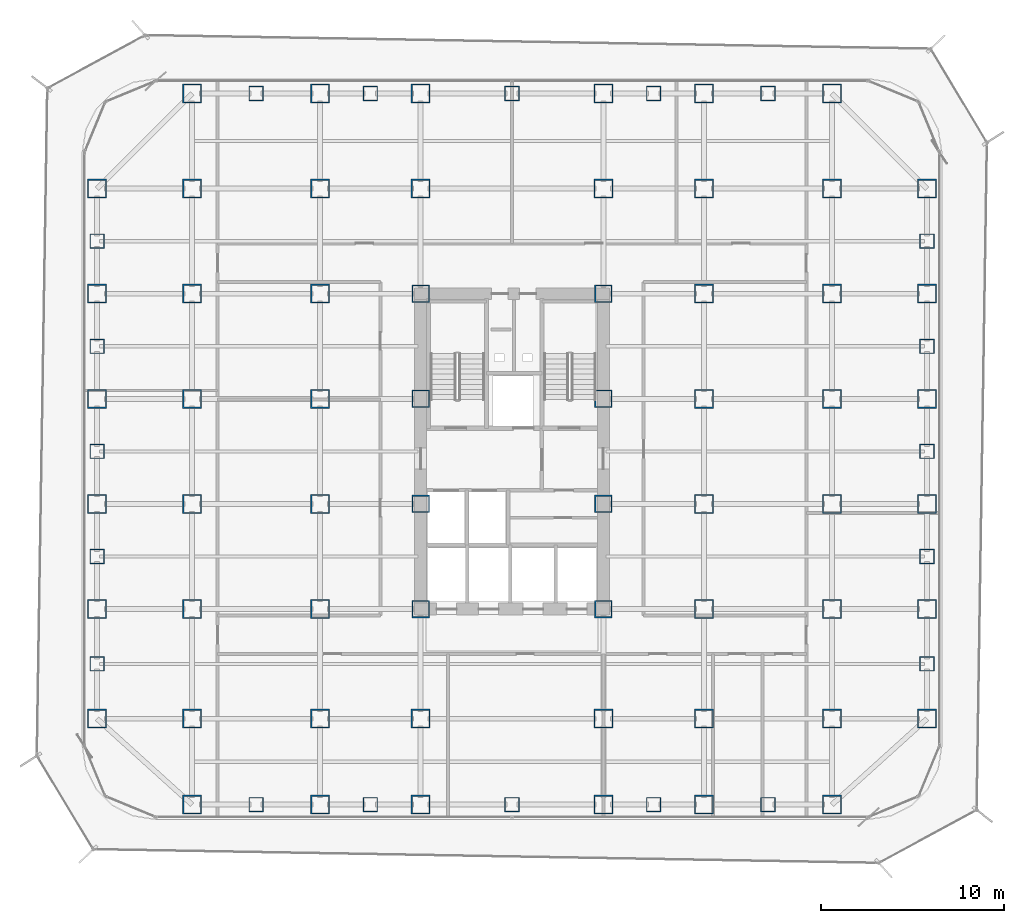
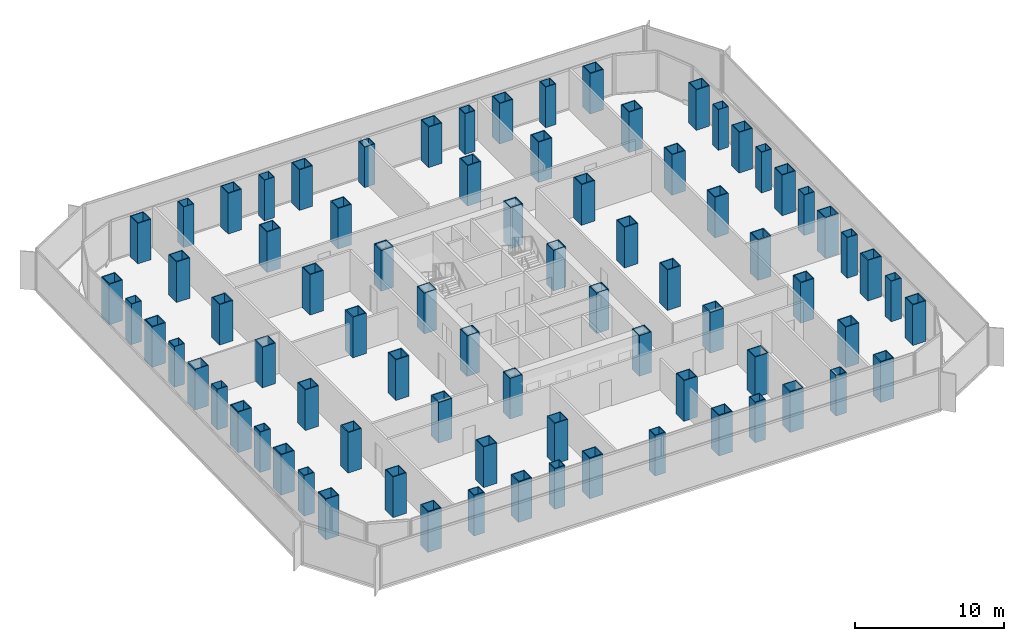
# One storey, part 1 of 21: 80 columns.
"""IFC4 building model written with IfcOpenShell, lengths in metres."""

from ifc_helpers import new_model, si_unit, direction, frame, origin, origin_2d, place, context, subcontext, project, spatial, hollow_rectangle, extrude, source, transform, mapped, material, material_profile, profile_set, type_object, element, save


model = new_model("IFC4")

# Units and contexts
model_context = context("Model", 3, precision=1e-05, world=origin(), true_north=direction((0.0, 1.0)))
body_context = subcontext(model_context, "Body", "Model", "MODEL_VIEW")
ifc_project = project(units=[si_unit("LENGTHUNIT", "METRE"), si_unit("AREAUNIT", "SQUARE_METRE"), si_unit("VOLUMEUNIT", "CUBIC_METRE"), si_unit("PLANEANGLEUNIT", "RADIAN"), si_unit("MASSUNIT", "GRAM", prefix="KILO")], contexts=[model_context])

# Site, building, storey
site_placement = place(None, origin())
site = spatial("IfcSite", under=ifc_project, at=site_placement, CompositionType="ELEMENT")
building_placement = place(site_placement, origin())
building = spatial("IfcBuilding", under=site, at=building_placement, Name="Kolveth Station Tower", CompositionType="ELEMENT")
storey_placement = place(building_placement, frame((0.0, 0.0, 36.89990234375)))
storey = spatial("IfcBuildingStorey", under=building, at=storey_placement, Name="L09", CompositionType="ELEMENT", Elevation=36.89990234375)

# Columns
ifc_material_1 = material(Name="Steel S460", Category="steel")
ifc_material_profile_1 = material_profile(ifc_material_1, hollow_rectangle(XDim=1.0400390625, YDim=1.0400390625, WallThickness=0.06494140625, at=origin_2d()), Name="BOX1040x1040x65")
ifc_profile_set_1 = profile_set([ifc_material_profile_1], Name="Steel S460")
column_type_1 = type_object("IfcColumnType", Name="Col_C2", PredefinedType="COLUMN", material=ifc_profile_set_1)
shared_shape_1 = source(origin(), body_context, "Body", "SweptSolid", [
    extrude(hollow_rectangle(XDim=1.0400390625, YDim=1.0400390625, WallThickness=0.06494140625, at=origin_2d()), origin(), (0.0, 0.0, 1.0), 3.320068359375),
])
for number, where, z_axis, x_axis, name in (
    (1, (6.0, 0.800048828125, 0.0), (0.0, 0.0, 1.0), (1.0, 0.0, 0.0), "L09 Tower Column S-X60"),
    (2, (6.0, 39.699951171875, 0.0), (0.0, 0.0, 1.0), (1.0, 0.0, 0.0), "L09 Tower Column N-X60"),
    (3, (13.0, 0.800048828125, 0.0), (0.0, 0.0, 1.0), (1.0, 0.0, 0.0), "L09 Tower Column S-X130"),
    (4, (13.0, 39.699951171875, 0.0), (0.0, 0.0, 1.0), (1.0, 0.0, 0.0), "L09 Tower Column N-X130"),
    (5, (18.5, 0.800048828125, 0.0), (0.0, 0.0, 1.0), (1.0, 0.0, 0.0), "L09 Tower Column S-X185"),
    (6, (18.5, 39.699951171875, 0.0), (0.0, 0.0, 1.0), (1.0, 0.0, 0.0), "L09 Tower Column N-X185"),
    (7, (28.5, 0.800048828125, 0.0), (0.0, 0.0, 1.0), (1.0, 0.0, 0.0), "L09 Tower Column S-X285"),
    (8, (28.5, 39.699951171875, 0.0), (0.0, 0.0, 1.0), (1.0, 0.0, 0.0), "L09 Tower Column N-X285"),
    (9, (34.0, 0.800048828125, 0.0), (0.0, 0.0, 1.0), (1.0, 0.0, 0.0), "L09 Tower Column S-X340"),
    (10, (34.0, 39.699951171875, 0.0), (0.0, 0.0, 1.0), (1.0, 0.0, 0.0), "L09 Tower Column N-X340"),
    (11, (41.0, 0.800048828125, 0.0), (0.0, 0.0, 1.0), (1.0, 0.0, 0.0), "L09 Tower Column S-X410"),
    (12, (41.0, 39.699951171875, 0.0), (0.0, 0.0, 1.0), (1.0, 0.0, 0.0), "L09 Tower Column N-X410"),
    (13, (0.800048828125, 5.5, 0.0), (0.0, 0.0, 1.0), (1.0, 0.0, 0.0), "L09 Tower Column W-Y55"),
    (14, (46.199951171875, 5.5, 0.0), (0.0, 0.0, 1.0), (1.0, 0.0, 0.0), "L09 Tower Column E-Y55"),
    (15, (0.800048828125, 11.5, 0.0), (0.0, 0.0, 1.0), (1.0, 0.0, 0.0), "L09 Tower Column W-Y115"),
    (16, (46.199951171875, 11.5, 0.0), (0.0, 0.0, 1.0), (1.0, 0.0, 0.0), "L09 Tower Column E-Y115"),
    (17, (0.800048828125, 17.25, 0.0), (0.0, 0.0, 1.0), (1.0, 0.0, 0.0), "L09 Tower Column W-Y172"),
    (18, (46.199951171875, 17.25, 0.0), (0.0, 0.0, 1.0), (1.0, 0.0, 0.0), "L09 Tower Column E-Y172"),
    (19, (0.800048828125, 23.0, 0.0), (0.0, 0.0, 1.0), (1.0, 0.0, 0.0), "L09 Tower Column W-Y230"),
    (20, (46.199951171875, 23.0, 0.0), (0.0, 0.0, 1.0), (1.0, 0.0, 0.0), "L09 Tower Column E-Y230"),
    (21, (0.800048828125, 28.75, 0.0), (0.0, 0.0, 1.0), (1.0, 0.0, 0.0), "L09 Tower Column W-Y287"),
    (22, (46.199951171875, 28.75, 0.0), (0.0, 0.0, 1.0), (1.0, 0.0, 0.0), "L09 Tower Column E-Y287"),
    (23, (0.800048828125, 34.5, 0.0), (0.0, 0.0, 1.0), (1.0, 0.0, 0.0), "L09 Tower Column W-Y345"),
    (24, (46.199951171875, 34.5, 0.0), (0.0, 0.0, 1.0), (1.0, 0.0, 0.0), "L09 Tower Column E-Y345"),
    (25, (6.0, 5.5, 0.0), (0.0, 0.0, 1.0), (1.0, 0.0, 0.0), "L09 Tower Column G-60-55"),
    (26, (6.0, 11.5, 0.0), (0.0, 0.0, 1.0), (1.0, 0.0, 0.0), "L09 Tower Column G-60-115"),
    (27, (6.0, 17.25, 0.0), (0.0, 0.0, 1.0), (1.0, 0.0, 0.0), "L09 Tower Column G-60-172"),
    (28, (6.0, 23.0, 0.0), (0.0, 0.0, 1.0), (1.0, 0.0, 0.0), "L09 Tower Column G-60-230"),
    (29, (6.0, 28.75, 0.0), (0.0, 0.0, 1.0), (1.0, 0.0, 0.0), "L09 Tower Column G-60-287"),
    (30, (6.0, 34.5, 0.0), (0.0, 0.0, 1.0), (1.0, 0.0, 0.0), "L09 Tower Column G-60-345"),
    (31, (13.0, 5.5, 0.0), (0.0, 0.0, 1.0), (1.0, 0.0, 0.0), "L09 Tower Column G-130-55"),
    (32, (13.0, 11.5, 0.0), (0.0, 0.0, 1.0), (1.0, 0.0, 0.0), "L09 Tower Column G-130-115"),
    (33, (13.0, 17.25, 0.0), (0.0, 0.0, 1.0), (1.0, 0.0, 0.0), "L09 Tower Column G-130-172"),
    (34, (13.0, 23.0, 0.0), (0.0, 0.0, 1.0), (1.0, 0.0, 0.0), "L09 Tower Column G-130-230"),
    (35, (13.0, 28.75, 0.0), (0.0, 0.0, 1.0), (1.0, 0.0, 0.0), "L09 Tower Column G-130-287"),
    (36, (13.0, 34.5, 0.0), (0.0, 0.0, 1.0), (1.0, 0.0, 0.0), "L09 Tower Column G-130-345"),
    (37, (18.5, 5.5, 0.0), (0.0, 0.0, 1.0), (1.0, 0.0, 0.0), "L09 Tower Column G-185-55"),
    (38, (18.5, 34.5, 0.0), (0.0, 0.0, 1.0), (1.0, 0.0, 0.0), "L09 Tower Column G-185-345"),
    (39, (28.5, 5.5, 0.0), (0.0, 0.0, 1.0), (1.0, 0.0, 0.0), "L09 Tower Column G-285-55"),
    (40, (28.5, 34.5, 0.0), (0.0, 0.0, 1.0), (1.0, 0.0, 0.0), "L09 Tower Column G-285-345"),
    (41, (34.0, 5.5, 0.0), (0.0, 0.0, 1.0), (1.0, 0.0, 0.0), "L09 Tower Column G-340-55"),
    (42, (34.0, 11.5, 0.0), (0.0, 0.0, 1.0), (1.0, 0.0, 0.0), "L09 Tower Column G-340-115"),
    (43, (34.0, 17.25, 0.0), (0.0, 0.0, 1.0), (1.0, 0.0, 0.0), "L09 Tower Column G-340-172"),
    (44, (34.0, 23.0, 0.0), (0.0, 0.0, 1.0), (1.0, 0.0, 0.0), "L09 Tower Column G-340-230"),
    (45, (34.0, 28.75, 0.0), (0.0, 0.0, 1.0), (1.0, 0.0, 0.0), "L09 Tower Column G-340-287"),
    (46, (34.0, 34.5, 0.0), (0.0, 0.0, 1.0), (1.0, 0.0, 0.0), "L09 Tower Column G-340-345"),
    (47, (41.0, 5.5, 0.0), (0.0, 0.0, 1.0), (1.0, 0.0, 0.0), "L09 Tower Column G-410-55"),
    (48, (41.0, 11.5, 0.0), (0.0, 0.0, 1.0), (1.0, 0.0, 0.0), "L09 Tower Column G-410-115"),
    (49, (41.0, 17.25, 0.0), (0.0, 0.0, 1.0), (1.0, 0.0, 0.0), "L09 Tower Column G-410-172"),
    (50, (41.0, 23.0, 0.0), (0.0, 0.0, 1.0), (1.0, 0.0, 0.0), "L09 Tower Column G-410-230"),
    (51, (41.0, 28.75, 0.0), (0.0, 0.0, 1.0), (1.0, 0.0, 0.0), "L09 Tower Column G-410-287"),
    (52, (41.0, 34.5, 0.0), (0.0, 0.0, 1.0), (1.0, 0.0, 0.0), "L09 Tower Column G-410-345"),
):
    element("IfcColumn", number, at=place(storey_placement, frame(where, z_axis=z_axis, x_axis=x_axis)), inside=storey, type_object=column_type_1, Name=name, PredefinedType="COLUMN", context=body_context, shape_type="MappedRepresentation", body=[
        mapped(shared_shape_1, transform((0.0, 0.0, 0.0), x_axis=(1.0, 0.0, 0.0), y_axis=(0.0, 1.0, 0.0), z_axis=(0.0, 0.0, 1.0), scale=1.0)),
    ])
ifc_material_profile_2 = material_profile(ifc_material_1, hollow_rectangle(XDim=0.9599609375, YDim=0.9599609375, WallThickness=0.06005859375, at=origin_2d()), Name="BOX960x960x60")
ifc_profile_set_2 = profile_set([ifc_material_profile_2], Name="Steel S460")
column_type_2 = type_object("IfcColumnType", Name="Col_C3", PredefinedType="COLUMN", material=ifc_profile_set_2)
shared_shape_2 = source(origin(), body_context, "Body", "SweptSolid", [
    extrude(hollow_rectangle(XDim=0.9599609375, YDim=0.9599609375, WallThickness=0.06005859375, at=origin_2d()), origin(), (0.0, 0.0, 1.0), 3.320068359375),
])
for number, where, z_axis, x_axis, name in (
    (53, (18.5, 11.5, 0.0), (0.0, 0.0, 1.0), (1.0, 0.0, 0.0), "L09 Tower Column G-185-115"),
    (54, (18.5, 17.25, 0.0), (0.0, 0.0, 1.0), (1.0, 0.0, 0.0), "L09 Tower Column G-185-172"),
    (55, (18.5, 23.0, 0.0), (0.0, 0.0, 1.0), (1.0, 0.0, 0.0), "L09 Tower Column G-185-230"),
    (56, (18.5, 28.75, 0.0), (0.0, 0.0, 1.0), (1.0, 0.0, 0.0), "L09 Tower Column G-185-287"),
    (57, (28.5, 11.5, 0.0), (0.0, 0.0, 1.0), (1.0, 0.0, 0.0), "L09 Tower Column G-285-115"),
    (58, (28.5, 17.25, 0.0), (0.0, 0.0, 1.0), (1.0, 0.0, 0.0), "L09 Tower Column G-285-172"),
    (59, (28.5, 23.0, 0.0), (0.0, 0.0, 1.0), (1.0, 0.0, 0.0), "L09 Tower Column G-285-230"),
    (60, (28.5, 28.75, 0.0), (0.0, 0.0, 1.0), (1.0, 0.0, 0.0), "L09 Tower Column G-285-287"),
):
    element("IfcColumn", number, at=place(storey_placement, frame(where, z_axis=z_axis, x_axis=x_axis)), inside=storey, type_object=column_type_2, Name=name, PredefinedType="COLUMN", context=body_context, shape_type="MappedRepresentation", body=[
        mapped(shared_shape_2, transform((0.0, 0.0, 0.0), x_axis=(1.0, 0.0, 0.0), y_axis=(0.0, 1.0, 0.0), z_axis=(0.0, 0.0, 1.0), scale=1.0)),
    ])
ifc_material_2 = material(Name="Steel S355", Category="steel")
ifc_material_profile_3 = material_profile(ifc_material_2, hollow_rectangle(XDim=0.800048828125, YDim=0.800048828125, WallThickness=0.044921875, at=origin_2d()), Name="BOX800x800x45")
ifc_profile_set_3 = profile_set([ifc_material_profile_3], Name="Steel S355")
column_type_3 = type_object("IfcColumnType", Name="Col_C5", PredefinedType="COLUMN", material=ifc_profile_set_3)
shared_shape_3 = source(origin(), body_context, "Body", "SweptSolid", [
    extrude(hollow_rectangle(XDim=0.800048828125, YDim=0.800048828125, WallThickness=0.044921875, at=origin_2d()), origin(), (0.0, 0.0, 1.0), 3.320068359375),
])
for number, where, z_axis, x_axis, name in (
    (61, (9.5, 0.800048828125, 0.0), (0.0, 0.0, 1.0), (1.0, 0.0, 0.0), "L09 Tower Column MS-X95"),
    (62, (9.5, 39.699951171875, 0.0), (0.0, 0.0, 1.0), (1.0, 0.0, 0.0), "L09 Tower Column MN-X95"),
    (63, (15.75, 0.800048828125, 0.0), (0.0, 0.0, 1.0), (1.0, 0.0, 0.0), "L09 Tower Column MS-X157"),
    (64, (15.75, 39.699951171875, 0.0), (0.0, 0.0, 1.0), (1.0, 0.0, 0.0), "L09 Tower Column MN-X157"),
    (65, (23.5, 0.800048828125, 0.0), (0.0, 0.0, 1.0), (1.0, 0.0, 0.0), "L09 Tower Column MS-X235"),
    (66, (23.5, 39.699951171875, 0.0), (0.0, 0.0, 1.0), (1.0, 0.0, 0.0), "L09 Tower Column MN-X235"),
    (67, (31.25, 0.800048828125, 0.0), (0.0, 0.0, 1.0), (1.0, 0.0, 0.0), "L09 Tower Column MS-X312"),
    (68, (31.25, 39.699951171875, 0.0), (0.0, 0.0, 1.0), (1.0, 0.0, 0.0), "L09 Tower Column MN-X312"),
    (69, (37.5, 0.800048828125, 0.0), (0.0, 0.0, 1.0), (1.0, 0.0, 0.0), "L09 Tower Column MS-X375"),
    (70, (37.5, 39.699951171875, 0.0), (0.0, 0.0, 1.0), (1.0, 0.0, 0.0), "L09 Tower Column MN-X375"),
    (71, (0.800048828125, 8.5, 0.0), (0.0, 0.0, 1.0), (1.0, 0.0, 0.0), "L09 Tower Column MW-Y85"),
    (72, (46.199951171875, 8.5, 0.0), (0.0, 0.0, 1.0), (1.0, 0.0, 0.0), "L09 Tower Column ME-Y85"),
    (73, (0.800048828125, 14.375, 0.0), (0.0, 0.0, 1.0), (1.0, 0.0, 0.0), "L09 Tower Column MW-Y143"),
    (74, (46.199951171875, 14.375, 0.0), (0.0, 0.0, 1.0), (1.0, 0.0, 0.0), "L09 Tower Column ME-Y143"),
    (75, (0.800048828125, 20.125, 0.0), (0.0, 0.0, 1.0), (1.0, 0.0, 0.0), "L09 Tower Column MW-Y201"),
    (76, (46.199951171875, 20.125, 0.0), (0.0, 0.0, 1.0), (1.0, 0.0, 0.0), "L09 Tower Column ME-Y201"),
    (77, (0.800048828125, 25.875, 0.0), (0.0, 0.0, 1.0), (1.0, 0.0, 0.0), "L09 Tower Column MW-Y258"),
    (78, (46.199951171875, 25.875, 0.0), (0.0, 0.0, 1.0), (1.0, 0.0, 0.0), "L09 Tower Column ME-Y258"),
    (79, (0.800048828125, 31.625, 0.0), (0.0, 0.0, 1.0), (1.0, 0.0, 0.0), "L09 Tower Column MW-Y316"),
    (80, (46.199951171875, 31.625, 0.0), (0.0, 0.0, 1.0), (1.0, 0.0, 0.0), "L09 Tower Column ME-Y316"),
):
    element("IfcColumn", number, at=place(storey_placement, frame(where, z_axis=z_axis, x_axis=x_axis)), inside=storey, type_object=column_type_3, Name=name, PredefinedType="COLUMN", context=body_context, shape_type="MappedRepresentation", body=[
        mapped(shared_shape_3, transform((0.0, 0.0, 0.0), x_axis=(1.0, 0.0, 0.0), y_axis=(0.0, 1.0, 0.0), z_axis=(0.0, 0.0, 1.0), scale=1.0)),
    ])

save(model, "model.ifc")
